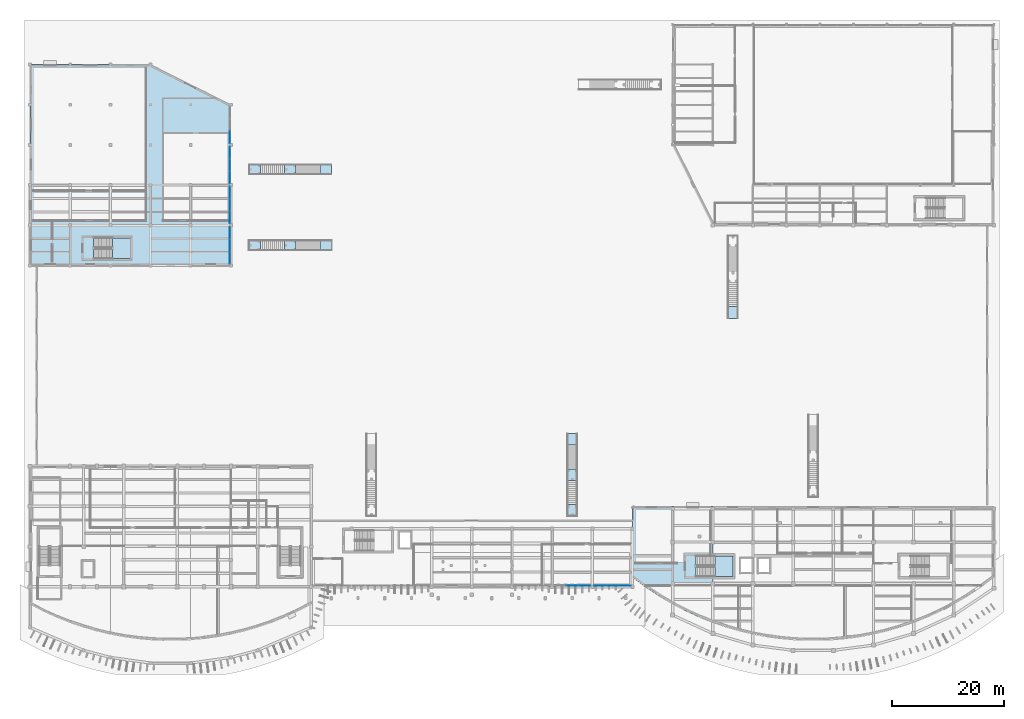
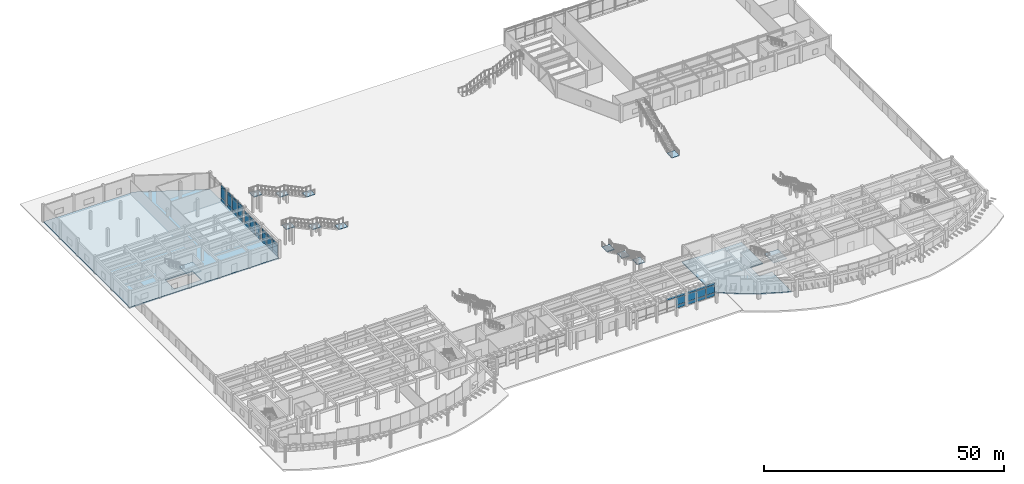
# One storey, part 23 of 58: 43 plates, 14 slabs, 12 elements without a shape of their own.
"""IFC4 building model written with IfcOpenShell, lengths in metres."""

import ifcopenshell
import ifcopenshell.guid

model = None  # the IFC model being written
_history = None  # IfcOwnerHistory: only IFC2X3 demands one
_inside = {}  # id of a spatial element -> (the spatial element, [elements in it])
_under = {}  # id of a project, library or spatial element -> (it, [spatial elements below it])
_declared = {}  # id of a project -> (the project, [libraries it declares])
_typed = {}  # id of a type object -> (the type object, [elements of that type])
_made_of = {}  # id of a material, layer set ... -> (it, [elements and type objects made of it])


def new_model(schema):
    """Start an empty IFC model of exactly this schema.

    Asked for "IFC4X3", IfcOpenShell would pick the latest addendum, in which some entities
    have other attributes; the version numbers below select the first issue.
    IFC2X3 requires an IfcOwnerHistory on every rooted entity: one is made here for all.
    """
    global model, _history
    if schema == "IFC4X3":
        model = ifcopenshell.file(schema_version=(4, 3, 0, 0))
    else:
        model = ifcopenshell.file(schema=schema)
    _inside.clear()
    _under.clear()
    _declared.clear()
    _typed.clear()
    _made_of.clear()
    _history = None
    if model.schema == "IFC2X3":
        org = make("IfcOrganization", Name="unknown")
        user = make(
            "IfcPersonAndOrganization",
            ThePerson=make("IfcPerson", FamilyName="unknown"),
            TheOrganization=org,
        )
        app = make(
            "IfcApplication",
            ApplicationDeveloper=org,
            Version="unknown",
            ApplicationFullName="unknown",
            ApplicationIdentifier="unknown",
        )
        _history = make(
            "IfcOwnerHistory",
            OwningUser=user,
            OwningApplication=app,
            ChangeAction="ADDED",
            CreationDate=0,
        )
    return model


def make(cls, **values):
    """One entity of the class cls with the attributes given. An attribute that is None is left unset."""
    return model.create_entity(
        cls, **{name: value for name, value in values.items() if value is not None}
    )


def rooted(cls, **values):
    """An entity with a GlobalId (a new one), such as an element, a storey or a relation."""
    return make(cls, GlobalId=ifcopenshell.guid.new(), OwnerHistory=_history, **values)


def si_unit(unit_type, name, prefix=None):
    """IfcSIUnit, for example si_unit("LENGTHUNIT", "METRE", prefix="MILLI")."""
    return make("IfcSIUnit", UnitType=unit_type, Prefix=prefix, Name=name)


def assignment(units):
    """IfcUnitAssignment: the units of a project."""
    return None if units is None else make("IfcUnitAssignment", Units=units)


def point(xyz):
    """IfcCartesianPoint."""
    return None if xyz is None else make("IfcCartesianPoint", Coordinates=xyz)


def direction(xyz):
    """IfcDirection."""
    return None if xyz is None else make("IfcDirection", DirectionRatios=xyz)


def frame(location, z_axis=None, x_axis=None):
    """IfcAxis2Placement3D, a coordinate frame: its origin and axes. An axis left out is left unset."""
    return make(
        "IfcAxis2Placement3D",
        Location=point(location),
        Axis=direction(z_axis),
        RefDirection=direction(x_axis),
    )


def frame_2d(location, x_axis=None):
    """IfcAxis2Placement2D, a coordinate frame in the plane: its origin and x axis."""
    return make(
        "IfcAxis2Placement2D", Location=point(location), RefDirection=direction(x_axis)
    )


def origin():
    """The frame at (0, 0, 0) with its axes left unset."""
    return frame((0.0, 0.0, 0.0))


def origin_2d():
    """The frame at (0, 0) in the plane with its x axis left unset."""
    return frame_2d((0.0, 0.0))


def place(relative_to, where):
    """IfcLocalPlacement: puts the frame where relative to a parent placement (None: the world)."""
    return make(
        "IfcLocalPlacement", PlacementRelTo=relative_to, RelativePlacement=where
    )


def context(
    kind, dimensions, precision=None, world=None, true_north=None, identifier=None
):
    """IfcGeometricRepresentationContext, for example the 3D "Model" context."""
    return make(
        "IfcGeometricRepresentationContext",
        ContextIdentifier=identifier,
        ContextType=kind,
        CoordinateSpaceDimension=dimensions,
        Precision=precision,
        WorldCoordinateSystem=world,
        TrueNorth=true_north,
    )


def subcontext(parent, identifier, kind, view, scale=None):
    """IfcGeometricRepresentationSubContext, for example "Body" below "Model"."""
    return make(
        "IfcGeometricRepresentationSubContext",
        ContextIdentifier=identifier,
        ContextType=kind,
        ParentContext=parent,
        TargetScale=scale,
        TargetView=view,
    )


def project(units=None, contexts=None):
    """IfcProject with its units and contexts."""
    return rooted(
        "IfcProject",
        Name="project",
        RepresentationContexts=contexts,
        UnitsInContext=assignment(units),
    )


def spatial(cls, under=None, at=None, **own):
    """A site, building, storey or space (cls), placed at a placement, below another one or the project."""
    s = rooted(cls, ObjectPlacement=at, **own)
    if under is not None:
        _under.setdefault(under.id(), (under, []))[1].append(s)
    return s


def polyline(points):
    """IfcPolyline through the points."""
    return make("IfcPolyline", Points=[point(p) for p in points])


def profile(cls, at=None, kind="AREA", **sizes):
    """A parametric profile (cls). Its sizes go by their IFC names, for example OverallWidth=200.0."""
    return make(cls, ProfileType=kind, Position=at, **sizes)


def rectangle(**sizes):
    """IfcRectangleProfileDef."""
    return profile("IfcRectangleProfileDef", **sizes)


def outline(outer, holes=None, kind="AREA"):
    """IfcArbitraryClosedProfileDef: a profile drawn as a closed curve; with holes, ...WithVoids."""
    if holes is None:
        return make("IfcArbitraryClosedProfileDef", ProfileType=kind, OuterCurve=outer)
    return make(
        "IfcArbitraryProfileDefWithVoids",
        ProfileType=kind,
        OuterCurve=outer,
        InnerCurves=holes,
    )


def extrude(swept, where, along, depth):
    """IfcExtrudedAreaSolid: the profile swept, set in the frame where, extruded along a direction by depth."""
    return make(
        "IfcExtrudedAreaSolid",
        SweptArea=swept,
        Position=where,
        ExtrudedDirection=direction(along),
        Depth=depth,
    )


def shape(context_of_items, identifier, shape_type, items):
    """IfcShapeRepresentation: the items that make up one representation, for example the "Body"."""
    return make(
        "IfcShapeRepresentation",
        ContextOfItems=context_of_items,
        RepresentationIdentifier=identifier,
        RepresentationType=shape_type,
        Items=items,
    )


def material(Name=None, Category=None):
    """IfcMaterial."""
    return make("IfcMaterial", Name=Name, Category=Category)


def layer(
    of_material, thickness, ventilated=None, Name=None, Category=None, Priority=None
):
    """IfcMaterialLayer: one layer of a wall or slab, of a material (None: an air gap)."""
    return make(
        "IfcMaterialLayer",
        Material=of_material,
        LayerThickness=thickness,
        IsVentilated=ventilated,
        Name=Name,
        Category=Category,
        Priority=Priority,
    )


def layer_set(layers, Name=None):
    """IfcMaterialLayerSet."""
    return make("IfcMaterialLayerSet", MaterialLayers=layers, LayerSetName=Name)


def made_of(thing, what):
    """Note that an element or type object is made of a material, layer set ...; save() writes the relation."""
    if what is not None:
        _made_of.setdefault(what.id(), (what, []))[1].append(thing)
    return thing


def type_object(cls, material=None, **own):
    """A type object (cls), such as IfcWallType, which elements share."""
    return made_of(rooted(cls, **own), material)


def element(
    cls,
    number,
    at=None,
    inside=None,
    cuts=None,
    type_object=None,
    material=None,
    context=None,
    identifier="Body",
    shape_type=None,
    held_by="IfcProductDefinitionShape",
    body=None,
    shapes=None,
    **own,
):
    """One element of the class cls, such as IfcWall. Its Tag is "e" and its number.

    at: its placement. inside: the storey or other place that contains it. cuts: it is an
    opening in that element (IfcRelVoidsElement). A single representation is given by context,
    identifier, shape_type and body (its items); several are given by shapes. held_by: the class
    of the entity that holds the representations. save() writes the other relations.
    """
    e = rooted(cls, Tag="e%d" % number, ObjectPlacement=at, **own)
    if body is not None:
        shapes = [shape(context, identifier, shape_type, body)]
    if shapes is not None:
        e.Representation = make(held_by, Representations=shapes)
    if inside is not None:
        _inside.setdefault(inside.id(), (inside, []))[1].append(e)
    if cuts is not None:
        rooted(
            "IfcRelVoidsElement", RelatingBuildingElement=cuts, RelatedOpeningElement=e
        )
    if type_object is not None:
        _typed.setdefault(type_object.id(), (type_object, []))[1].append(e)
    return made_of(e, material)


def aggregate(whole, parts):
    """IfcRelAggregates: a whole, such as a stair, and the parts it consists of."""
    return rooted("IfcRelAggregates", RelatingObject=whole, RelatedObjects=parts)


def save(model, path):
    """Write the relations noted so far, then the file.

    IfcRelAggregates (storeys below a building ...), IfcRelContainedInSpatialStructure (elements
    in a storey), IfcRelDefinesByType, IfcRelAssociatesMaterial and IfcRelDeclares: one each for
    every whole, place, type object, material and project.
    """
    for whole, parts in _under.values():
        aggregate(whole, parts)
    for where, things in _inside.values():
        rooted(
            "IfcRelContainedInSpatialStructure",
            RelatedElements=things,
            RelatingStructure=where,
        )
    for kind, things in _typed.values():
        rooted("IfcRelDefinesByType", RelatedObjects=things, RelatingType=kind)
    for what, things in _made_of.values():
        rooted("IfcRelAssociatesMaterial", RelatedObjects=things, RelatingMaterial=what)
    for by, libraries in _declared.values():
        rooted("IfcRelDeclares", RelatingContext=by, RelatedDefinitions=libraries)
    model.write(path)


model = new_model("IFC4")

# Units and contexts
model_context = context("Model", 3, precision=1e-05, world=origin(), true_north=direction((0.0, 1.0)))
body_context = subcontext(model_context, "Body", "Model", "MODEL_VIEW")
ifc_project = project(units=[si_unit("LENGTHUNIT", "METRE"), si_unit("AREAUNIT", "SQUARE_METRE"), si_unit("VOLUMEUNIT", "CUBIC_METRE"), si_unit("PLANEANGLEUNIT", "RADIAN"), si_unit("MASSUNIT", "GRAM", prefix="KILO")], contexts=[model_context])

# Site, building, storey
site_placement = place(None, origin())
site = spatial("IfcSite", under=ifc_project, at=site_placement, CompositionType="ELEMENT")
building_placement = place(site_placement, origin())
building = spatial("IfcBuilding", under=site, at=building_placement, Name="Brisavento Harbour Community Centre", CompositionType="ELEMENT")
storey_placement = place(building_placement, origin())
storey = spatial("IfcBuildingStorey", under=building, at=storey_placement, Name="L00", CompositionType="ELEMENT", Elevation=0.0)

# Curtain wall, plates
ifc_material_1 = material(Name="Marine-anodised aluminium AW-6063-T6", Category="aluminium")
ifc_layer_1 = layer(ifc_material_1, 0.179931640625, Name="Marine-anodised aluminium AW-6063-T6")
ifc_layer_set_1 = layer_set([ifc_layer_1], Name="Marine-anodised aluminium AW-6063-T6")
curtain_wall_type_1 = type_object("IfcCurtainWallType", Name="CW-SYS-01", PredefinedType="USERDEFINED", material=ifc_layer_set_1)
curtain_wall_1_placement = place(storey_placement, origin())
curtain_wall_1 = element("IfcCurtainWall", 1, at=curtain_wall_1_placement, inside=storey, type_object=curtain_wall_type_1, Name="L00 V2 unitised curtain wall 001", ObjectType="UNITISED CURTAIN WALL", PredefinedType="USERDEFINED")
ifc_material_2 = material(Name="Solar-control laminated low-E glass", Category="glass")
ifc_layer_2 = layer(ifc_material_2, 0.02392578125, Name="Solar-control laminated low-E glass")
ifc_layer_set_2 = layer_set([ifc_layer_2], Name="Solar-control laminated low-E glass")
plate_type_1 = type_object("IfcPlateType", Name="CWP-GLZ-1", PredefinedType="CURTAIN_PANEL", material=ifc_layer_set_2)
plate_1_placement = place(storey_placement, frame((106.6103515625, 14.580078125, 0.06494140625), z_axis=(0.0, 0.0, 1.0), x_axis=(-1.0, 0.0, 0.0)))
plate_1 = element("IfcPlate", 2, at=plate_1_placement, type_object=plate_type_1, Name="CW-01 panel 1.1", PredefinedType="CURTAIN_PANEL", context=body_context, shape_type="SweptSolid", body=[
    extrude(rectangle(XDim=2.129150390625, YDim=0.02392578125, at=origin_2d()), origin(), (0.0, 0.0, 1.0), 0.802490234375),
])
plate_2_placement = place(storey_placement, frame((106.6103515625, 14.580078125, 0.9326171875), z_axis=(0.0, 0.0, 1.0), x_axis=(-1.0, 0.0, 0.0)))
plate_2 = element("IfcPlate", 3, at=plate_2_placement, type_object=plate_type_1, Name="CW-01 panel 1.2", PredefinedType="CURTAIN_PANEL", context=body_context, shape_type="SweptSolid", body=[
    extrude(rectangle(XDim=2.129150390625, YDim=0.02392578125, at=origin_2d()), origin(), (0.0, 0.0, 1.0), 1.925048828125),
])
plate_3_placement = place(storey_placement, frame((106.6103515625, 14.580078125, 2.92236328125), z_axis=(0.0, 0.0, 1.0), x_axis=(-1.0, 0.0, 0.0)))
plate_3 = element("IfcPlate", 4, at=plate_3_placement, type_object=plate_type_1, Name="CW-01 panel 1.3", PredefinedType="CURTAIN_PANEL", context=body_context, shape_type="SweptSolid", body=[
    extrude(rectangle(XDim=2.129150390625, YDim=0.02392578125, at=origin_2d()), origin(), (0.0, 0.0, 1.0), 0.552490234375),
])
plate_4_placement = place(storey_placement, frame((104.39990234375, 14.580078125, 0.06494140625), z_axis=(0.0, 0.0, 1.0), x_axis=(-1.0, 0.0, 0.0)))
plate_4 = element("IfcPlate", 5, at=plate_4_placement, type_object=plate_type_1, Name="CW-01 panel 2.1", PredefinedType="CURTAIN_PANEL", context=body_context, shape_type="SweptSolid", body=[
    extrude(rectangle(XDim=2.16162109375, YDim=0.02392578125, at=origin_2d()), origin(), (0.0, 0.0, 1.0), 0.802490234375),
])
plate_5_placement = place(storey_placement, frame((104.39990234375, 14.580078125, 0.9326171875), z_axis=(0.0, 0.0, 1.0), x_axis=(-1.0, 0.0, 0.0)))
plate_5 = element("IfcPlate", 6, at=plate_5_placement, type_object=plate_type_1, Name="CW-01 panel 2.2", PredefinedType="CURTAIN_PANEL", context=body_context, shape_type="SweptSolid", body=[
    extrude(rectangle(XDim=2.16162109375, YDim=0.02392578125, at=origin_2d()), origin(), (0.0, 0.0, 1.0), 1.925048828125),
])
plate_6_placement = place(storey_placement, frame((104.39990234375, 14.580078125, 2.92236328125), z_axis=(0.0, 0.0, 1.0), x_axis=(-1.0, 0.0, 0.0)))
plate_6 = element("IfcPlate", 7, at=plate_6_placement, type_object=plate_type_1, Name="CW-01 panel 2.3", PredefinedType="CURTAIN_PANEL", context=body_context, shape_type="SweptSolid", body=[
    extrude(rectangle(XDim=2.16162109375, YDim=0.02392578125, at=origin_2d()), origin(), (0.0, 0.0, 1.0), 0.552490234375),
])
plate_7_placement = place(storey_placement, frame((102.189697265625, 14.580078125, 0.06494140625), z_axis=(0.0, 0.0, 1.0), x_axis=(-1.0, 0.0, 0.0)))
plate_7 = element("IfcPlate", 8, at=plate_7_placement, type_object=plate_type_1, Name="CW-01 panel 3.1", PredefinedType="CURTAIN_PANEL", context=body_context, shape_type="SweptSolid", body=[
    extrude(rectangle(XDim=2.129150390625, YDim=0.02392578125, at=origin_2d()), origin(), (0.0, 0.0, 1.0), 0.802490234375),
])
plate_8_placement = place(storey_placement, frame((102.189697265625, 14.580078125, 0.9326171875), z_axis=(0.0, 0.0, 1.0), x_axis=(-1.0, 0.0, 0.0)))
plate_8 = element("IfcPlate", 9, at=plate_8_placement, type_object=plate_type_1, Name="CW-01 panel 3.2", PredefinedType="CURTAIN_PANEL", context=body_context, shape_type="SweptSolid", body=[
    extrude(rectangle(XDim=2.129150390625, YDim=0.02392578125, at=origin_2d()), origin(), (0.0, 0.0, 1.0), 1.925048828125),
])
plate_9_placement = place(storey_placement, frame((102.189697265625, 14.580078125, 2.92236328125), z_axis=(0.0, 0.0, 1.0), x_axis=(-1.0, 0.0, 0.0)))
plate_9 = element("IfcPlate", 10, at=plate_9_placement, type_object=plate_type_1, Name="CW-01 panel 3.3", PredefinedType="CURTAIN_PANEL", context=body_context, shape_type="SweptSolid", body=[
    extrude(rectangle(XDim=2.129150390625, YDim=0.02392578125, at=origin_2d()), origin(), (0.0, 0.0, 1.0), 0.552490234375),
])
aggregate(curtain_wall_1, [plate_1, plate_2, plate_3, plate_4, plate_5, plate_6, plate_7, plate_8, plate_9])

ifc_layer_3 = layer(ifc_material_1, 0.179931640625, Name="Marine-anodised aluminium AW-6063-T6")
ifc_layer_set_3 = layer_set([ifc_layer_3], Name="Marine-anodised aluminium AW-6063-T6")
curtain_wall_type_2 = type_object("IfcCurtainWallType", Name="CW-SYS-16", PredefinedType="USERDEFINED", material=ifc_layer_set_3)
curtain_wall_2_placement = place(storey_placement, origin())
curtain_wall_2 = element("IfcCurtainWall", 11, at=curtain_wall_2_placement, inside=storey, type_object=curtain_wall_type_2, Name="L00 V5 unitised curtain wall 016", ObjectType="UNITISED CURTAIN WALL", PredefinedType="USERDEFINED")
plate_10_placement = place(storey_placement, frame((35.820068359375, 94.9765625, 0.080078125), z_axis=(0.0, 0.0, 1.0), x_axis=(0.0, -1.0, 0.0)))
plate_10 = element("IfcPlate", 12, at=plate_10_placement, type_object=plate_type_1, Name="CW-16 panel 3.1", PredefinedType="CURTAIN_PANEL", context=body_context, shape_type="SweptSolid", body=[
    extrude(rectangle(XDim=2.123291015625, YDim=0.02392578125, at=origin_2d()), origin(), (0.0, 0.0, 1.0), 0.780029296875),
])
plate_11_placement = place(storey_placement, frame((35.820068359375, 94.9765625, 0.93994140625), z_axis=(0.0, 0.0, 1.0), x_axis=(0.0, -1.0, 0.0)))
plate_11 = element("IfcPlate", 13, at=plate_11_placement, type_object=plate_type_1, Name="CW-16 panel 3.2", PredefinedType="CURTAIN_PANEL", context=body_context, shape_type="SweptSolid", body=[
    extrude(rectangle(XDim=2.123291015625, YDim=0.02392578125, at=origin_2d()), origin(), (0.0, 0.0, 1.0), 2.610107421875),
])
plate_12_placement = place(storey_placement, frame((35.820068359375, 94.9765625, 3.6298828125), z_axis=(0.0, 0.0, 1.0), x_axis=(0.0, -1.0, 0.0)))
plate_12 = element("IfcPlate", 14, at=plate_12_placement, type_object=plate_type_1, Name="CW-16 panel 3.3", PredefinedType="CURTAIN_PANEL", context=body_context, shape_type="SweptSolid", body=[
    extrude(rectangle(XDim=2.123291015625, YDim=0.02392578125, at=origin_2d()), origin(), (0.0, 0.0, 1.0), 0.530029296875),
])
aggregate(curtain_wall_2, [plate_10, plate_11, plate_12])

ifc_layer_4 = layer(ifc_material_1, 0.179931640625, Name="Marine-anodised aluminium AW-6063-T6")
ifc_layer_set_4 = layer_set([ifc_layer_4], Name="Marine-anodised aluminium AW-6063-T6")
curtain_wall_type_3 = type_object("IfcCurtainWallType", Name="CW-SYS-02", PredefinedType="USERDEFINED", material=ifc_layer_set_4)
curtain_wall_3_placement = place(storey_placement, origin())
curtain_wall_3 = element("IfcCurtainWall", 15, at=curtain_wall_3_placement, inside=storey, type_object=curtain_wall_type_3, Name="L00 V2 unitised curtain wall 002", ObjectType="UNITISED CURTAIN WALL", PredefinedType="USERDEFINED")
ifc_layer_5 = layer(ifc_material_2, 0.028076171875, Name="Solar-control laminated low-E glass")
ifc_layer_set_5 = layer_set([ifc_layer_5], Name="Solar-control laminated low-E glass")
plate_type_2 = type_object("IfcPlateType", Name="CWP-GLZ-2", PredefinedType="CURTAIN_PANEL", material=ifc_layer_set_5)
plate_13_placement = place(storey_placement, frame((99.4091796875, 14.580078125, 0.070068359375), z_axis=(0.0, 0.0, 1.0), x_axis=(-1.0, 0.0, 0.0)))
plate_13 = element("IfcPlate", 16, at=plate_13_placement, type_object=plate_type_2, Name="CW-02 panel 1.1", PredefinedType="CURTAIN_PANEL", context=body_context, shape_type="SweptSolid", body=[
    extrude(rectangle(XDim=2.12158203125, YDim=0.028076171875, at=origin_2d()), origin(), (0.0, 0.0, 1.0), 0.794921875),
])
plate_14_placement = place(storey_placement, frame((99.4091796875, 14.580078125, 0.93505859375), z_axis=(0.0, 0.0, 1.0), x_axis=(-1.0, 0.0, 0.0)))
plate_14 = element("IfcPlate", 17, at=plate_14_placement, type_object=plate_type_2, Name="CW-02 panel 1.2", PredefinedType="CURTAIN_PANEL", context=body_context, shape_type="SweptSolid", body=[
    extrude(rectangle(XDim=2.12158203125, YDim=0.028076171875, at=origin_2d()), origin(), (0.0, 0.0, 1.0), 1.8701171875),
])
plate_15_placement = place(storey_placement, frame((99.4091796875, 14.580078125, 2.875), z_axis=(0.0, 0.0, 1.0), x_axis=(-1.0, 0.0, 0.0)))
plate_15 = element("IfcPlate", 18, at=plate_15_placement, type_object=plate_type_2, Name="CW-02 panel 1.3", PredefinedType="CURTAIN_PANEL", context=body_context, shape_type="SweptSolid", body=[
    extrude(rectangle(XDim=2.12158203125, YDim=0.028076171875, at=origin_2d()), origin(), (0.0, 0.0, 1.0), 0.544921875),
])
plate_16_placement = place(storey_placement, frame((97.199951171875, 14.580078125, 2.875), z_axis=(0.0, 0.0, 1.0), x_axis=(-1.0, 0.0, 0.0)))
plate_16 = element("IfcPlate", 19, at=plate_16_placement, type_object=plate_type_2, Name="CW-02 panel 2.3", PredefinedType="CURTAIN_PANEL", context=body_context, shape_type="SweptSolid", body=[
    extrude(rectangle(XDim=2.15673828125, YDim=0.028076171875, at=origin_2d()), origin(), (0.0, 0.0, 1.0), 0.544921875),
])
aggregate(curtain_wall_3, [plate_13, plate_14, plate_15, plate_16])

ifc_layer_6 = layer(ifc_material_1, 0.179931640625, Name="Marine-anodised aluminium AW-6063-T6")
ifc_layer_set_6 = layer_set([ifc_layer_6], Name="Marine-anodised aluminium AW-6063-T6")
curtain_wall_type_4 = type_object("IfcCurtainWallType", Name="CW-SYS-17", PredefinedType="USERDEFINED", material=ifc_layer_set_6)
curtain_wall_4_placement = place(storey_placement, origin())
curtain_wall_4 = element("IfcCurtainWall", 20, at=curtain_wall_4_placement, inside=storey, type_object=curtain_wall_type_4, Name="L00 V5 unitised curtain wall 017", ObjectType="UNITISED CURTAIN WALL", PredefinedType="USERDEFINED")
plate_17_placement = place(storey_placement, frame((35.820068359375, 92.231201171875, 0.06494140625), z_axis=(0.0, 0.0, 1.0), x_axis=(0.0, -1.0, 0.0)))
plate_17 = element("IfcPlate", 21, at=plate_17_placement, type_object=plate_type_2, Name="CW-17 panel 1.1", PredefinedType="CURTAIN_PANEL", context=body_context, shape_type="SweptSolid", body=[
    extrude(rectangle(XDim=2.137451171875, YDim=0.028076171875, at=origin_2d()), origin(), (0.0, 0.0, 1.0), 0.802490234375),
])
plate_18_placement = place(storey_placement, frame((35.820068359375, 92.231201171875, 0.9326171875), z_axis=(0.0, 0.0, 1.0), x_axis=(0.0, -1.0, 0.0)))
plate_18 = element("IfcPlate", 22, at=plate_18_placement, type_object=plate_type_2, Name="CW-17 panel 1.2", PredefinedType="CURTAIN_PANEL", context=body_context, shape_type="SweptSolid", body=[
    extrude(rectangle(XDim=2.137451171875, YDim=0.028076171875, at=origin_2d()), origin(), (0.0, 0.0, 1.0), 2.625),
])
plate_19_placement = place(storey_placement, frame((35.820068359375, 92.231201171875, 3.62255859375), z_axis=(0.0, 0.0, 1.0), x_axis=(0.0, -1.0, 0.0)))
plate_19 = element("IfcPlate", 23, at=plate_19_placement, type_object=plate_type_2, Name="CW-17 panel 1.3", PredefinedType="CURTAIN_PANEL", context=body_context, shape_type="SweptSolid", body=[
    extrude(rectangle(XDim=2.137451171875, YDim=0.028076171875, at=origin_2d()), origin(), (0.0, 0.0, 1.0), 0.552490234375),
])
plate_20_placement = place(storey_placement, frame((35.820068359375, 90.012451171875, 0.06494140625), z_axis=(0.0, 0.0, 1.0), x_axis=(0.0, -1.0, 0.0)))
plate_20 = element("IfcPlate", 24, at=plate_20_placement, type_object=plate_type_2, Name="CW-17 panel 2.1", PredefinedType="CURTAIN_PANEL", context=body_context, shape_type="SweptSolid", body=[
    extrude(rectangle(XDim=2.169921875, YDim=0.028076171875, at=origin_2d()), origin(), (0.0, 0.0, 1.0), 0.802490234375),
])
plate_21_placement = place(storey_placement, frame((35.820068359375, 90.012451171875, 0.9326171875), z_axis=(0.0, 0.0, 1.0), x_axis=(0.0, -1.0, 0.0)))
plate_21 = element("IfcPlate", 25, at=plate_21_placement, type_object=plate_type_2, Name="CW-17 panel 2.2", PredefinedType="CURTAIN_PANEL", context=body_context, shape_type="SweptSolid", body=[
    extrude(rectangle(XDim=2.169921875, YDim=0.028076171875, at=origin_2d()), origin(), (0.0, 0.0, 1.0), 2.625),
])
plate_22_placement = place(storey_placement, frame((35.820068359375, 90.012451171875, 3.62255859375), z_axis=(0.0, 0.0, 1.0), x_axis=(0.0, -1.0, 0.0)))
plate_22 = element("IfcPlate", 26, at=plate_22_placement, type_object=plate_type_2, Name="CW-17 panel 2.3", PredefinedType="CURTAIN_PANEL", context=body_context, shape_type="SweptSolid", body=[
    extrude(rectangle(XDim=2.169921875, YDim=0.028076171875, at=origin_2d()), origin(), (0.0, 0.0, 1.0), 0.552490234375),
])
plate_23_placement = place(storey_placement, frame((35.820068359375, 87.793701171875, 0.06494140625), z_axis=(0.0, 0.0, 1.0), x_axis=(0.0, -1.0, 0.0)))
plate_23 = element("IfcPlate", 27, at=plate_23_placement, type_object=plate_type_2, Name="CW-17 panel 3.1", PredefinedType="CURTAIN_PANEL", context=body_context, shape_type="SweptSolid", body=[
    extrude(rectangle(XDim=2.137451171875, YDim=0.028076171875, at=origin_2d()), origin(), (0.0, 0.0, 1.0), 0.802490234375),
])
plate_24_placement = place(storey_placement, frame((35.820068359375, 87.793701171875, 0.9326171875), z_axis=(0.0, 0.0, 1.0), x_axis=(0.0, -1.0, 0.0)))
plate_24 = element("IfcPlate", 28, at=plate_24_placement, type_object=plate_type_2, Name="CW-17 panel 3.2", PredefinedType="CURTAIN_PANEL", context=body_context, shape_type="SweptSolid", body=[
    extrude(rectangle(XDim=2.137451171875, YDim=0.028076171875, at=origin_2d()), origin(), (0.0, 0.0, 1.0), 2.625),
])
plate_25_placement = place(storey_placement, frame((35.820068359375, 87.793701171875, 3.62255859375), z_axis=(0.0, 0.0, 1.0), x_axis=(0.0, -1.0, 0.0)))
plate_25 = element("IfcPlate", 29, at=plate_25_placement, type_object=plate_type_2, Name="CW-17 panel 3.3", PredefinedType="CURTAIN_PANEL", context=body_context, shape_type="SweptSolid", body=[
    extrude(rectangle(XDim=2.137451171875, YDim=0.028076171875, at=origin_2d()), origin(), (0.0, 0.0, 1.0), 0.552490234375),
])
aggregate(curtain_wall_4, [plate_17, plate_18, plate_19, plate_20, plate_21, plate_22, plate_23, plate_24, plate_25])

ifc_layer_7 = layer(ifc_material_1, 0.179931640625, Name="Marine-anodised aluminium AW-6063-T6")
ifc_layer_set_7 = layer_set([ifc_layer_7], Name="Marine-anodised aluminium AW-6063-T6")
curtain_wall_type_5 = type_object("IfcCurtainWallType", Name="CW-SYS-18", PredefinedType="USERDEFINED", material=ifc_layer_set_7)
curtain_wall_5_placement = place(storey_placement, origin())
curtain_wall_5 = element("IfcCurtainWall", 30, at=curtain_wall_5_placement, inside=storey, type_object=curtain_wall_type_5, Name="L00 V5 unitised curtain wall 018", ObjectType="UNITISED CURTAIN WALL", PredefinedType="USERDEFINED")
ifc_layer_8 = layer(ifc_material_2, 0.031982421875, Name="Solar-control laminated low-E glass")
ifc_layer_set_8 = layer_set([ifc_layer_8], Name="Solar-control laminated low-E glass")
plate_type_3 = type_object("IfcPlateType", Name="CWP-GLZ-3", PredefinedType="CURTAIN_PANEL", material=ifc_layer_set_8)
plate_26_placement = place(storey_placement, frame((35.820068359375, 85.00927734375, 0.070068359375), z_axis=(0.0, 0.0, 1.0), x_axis=(0.0, -1.0, 0.0)))
plate_26 = element("IfcPlate", 31, at=plate_26_placement, type_object=plate_type_3, Name="CW-18 panel 1.1", PredefinedType="CURTAIN_PANEL", context=body_context, shape_type="SweptSolid", body=[
    extrude(rectangle(XDim=2.12158203125, YDim=0.031982421875, at=origin_2d()), origin(), (0.0, 0.0, 1.0), 0.794921875),
])
plate_27_placement = place(storey_placement, frame((35.820068359375, 85.00927734375, 0.93505859375), z_axis=(0.0, 0.0, 1.0), x_axis=(0.0, -1.0, 0.0)))
plate_27 = element("IfcPlate", 32, at=plate_27_placement, type_object=plate_type_3, Name="CW-18 panel 1.2", PredefinedType="CURTAIN_PANEL", context=body_context, shape_type="SweptSolid", body=[
    extrude(rectangle(XDim=2.12158203125, YDim=0.031982421875, at=origin_2d()), origin(), (0.0, 0.0, 1.0), 1.969970703125),
])
plate_28_placement = place(storey_placement, frame((35.820068359375, 85.00927734375, 2.97509765625), z_axis=(0.0, 0.0, 1.0), x_axis=(0.0, -1.0, 0.0)))
plate_28 = element("IfcPlate", 33, at=plate_28_placement, type_object=plate_type_3, Name="CW-18 panel 1.3", PredefinedType="CURTAIN_PANEL", context=body_context, shape_type="SweptSolid", body=[
    extrude(rectangle(XDim=2.12158203125, YDim=0.031982421875, at=origin_2d()), origin(), (0.0, 0.0, 1.0), 0.544921875),
])
plate_29_placement = place(storey_placement, frame((35.820068359375, 82.800048828125, 0.070068359375), z_axis=(0.0, 0.0, 1.0), x_axis=(0.0, -1.0, 0.0)))
plate_29 = element("IfcPlate", 34, at=plate_29_placement, type_object=plate_type_3, Name="CW-18 panel 2.1", PredefinedType="CURTAIN_PANEL", context=body_context, shape_type="SweptSolid", body=[
    extrude(rectangle(XDim=2.15673828125, YDim=0.031982421875, at=origin_2d()), origin(), (0.0, 0.0, 1.0), 0.794921875),
])
plate_30_placement = place(storey_placement, frame((35.820068359375, 82.800048828125, 0.93505859375), z_axis=(0.0, 0.0, 1.0), x_axis=(0.0, -1.0, 0.0)))
plate_30 = element("IfcPlate", 35, at=plate_30_placement, type_object=plate_type_3, Name="CW-18 panel 2.2", PredefinedType="CURTAIN_PANEL", context=body_context, shape_type="SweptSolid", body=[
    extrude(rectangle(XDim=2.15673828125, YDim=0.031982421875, at=origin_2d()), origin(), (0.0, 0.0, 1.0), 1.969970703125),
])
plate_31_placement = place(storey_placement, frame((35.820068359375, 82.800048828125, 2.97509765625), z_axis=(0.0, 0.0, 1.0), x_axis=(0.0, -1.0, 0.0)))
plate_31 = element("IfcPlate", 36, at=plate_31_placement, type_object=plate_type_3, Name="CW-18 panel 2.3", PredefinedType="CURTAIN_PANEL", context=body_context, shape_type="SweptSolid", body=[
    extrude(rectangle(XDim=2.15673828125, YDim=0.031982421875, at=origin_2d()), origin(), (0.0, 0.0, 1.0), 0.544921875),
])
plate_32_placement = place(storey_placement, frame((35.820068359375, 80.5908203125, 0.070068359375), z_axis=(0.0, 0.0, 1.0), x_axis=(0.0, -1.0, 0.0)))
plate_32 = element("IfcPlate", 37, at=plate_32_placement, type_object=plate_type_3, Name="CW-18 panel 3.1", PredefinedType="CURTAIN_PANEL", context=body_context, shape_type="SweptSolid", body=[
    extrude(rectangle(XDim=2.12158203125, YDim=0.031982421875, at=origin_2d()), origin(), (0.0, 0.0, 1.0), 0.794921875),
])
plate_33_placement = place(storey_placement, frame((35.820068359375, 80.5908203125, 0.93505859375), z_axis=(0.0, 0.0, 1.0), x_axis=(0.0, -1.0, 0.0)))
plate_33 = element("IfcPlate", 38, at=plate_33_placement, type_object=plate_type_3, Name="CW-18 panel 3.2", PredefinedType="CURTAIN_PANEL", context=body_context, shape_type="SweptSolid", body=[
    extrude(rectangle(XDim=2.12158203125, YDim=0.031982421875, at=origin_2d()), origin(), (0.0, 0.0, 1.0), 1.969970703125),
])
plate_34_placement = place(storey_placement, frame((35.820068359375, 80.5908203125, 2.97509765625), z_axis=(0.0, 0.0, 1.0), x_axis=(0.0, -1.0, 0.0)))
plate_34 = element("IfcPlate", 39, at=plate_34_placement, type_object=plate_type_3, Name="CW-18 panel 3.3", PredefinedType="CURTAIN_PANEL", context=body_context, shape_type="SweptSolid", body=[
    extrude(rectangle(XDim=2.12158203125, YDim=0.031982421875, at=origin_2d()), origin(), (0.0, 0.0, 1.0), 0.544921875),
])
aggregate(curtain_wall_5, [plate_26, plate_27, plate_28, plate_29, plate_30, plate_31, plate_32, plate_33, plate_34])

ifc_layer_9 = layer(ifc_material_1, 0.179931640625, Name="Marine-anodised aluminium AW-6063-T6")
ifc_layer_set_9 = layer_set([ifc_layer_9], Name="Marine-anodised aluminium AW-6063-T6")
curtain_wall_type_6 = type_object("IfcCurtainWallType", Name="CW-SYS-19", PredefinedType="USERDEFINED", material=ifc_layer_set_9)
curtain_wall_6_placement = place(storey_placement, origin())
curtain_wall_6 = element("IfcCurtainWall", 40, at=curtain_wall_6_placement, inside=storey, type_object=curtain_wall_type_6, Name="L00 V5 unitised curtain wall 019", ObjectType="UNITISED CURTAIN WALL", PredefinedType="USERDEFINED")
ifc_layer_10 = layer(ifc_material_2, 0.035888671875, Name="Solar-control laminated low-E glass")
ifc_layer_set_10 = layer_set([ifc_layer_10], Name="Solar-control laminated low-E glass")
plate_type_4 = type_object("IfcPlateType", Name="CWP-GLZ-4", PredefinedType="CURTAIN_PANEL", material=ifc_layer_set_10)
plate_35_placement = place(storey_placement, frame((35.820068359375, 77.807861328125, 0.074951171875), z_axis=(0.0, 0.0, 1.0), x_axis=(0.0, -1.0, 0.0)))
plate_35 = element("IfcPlate", 41, at=plate_35_placement, type_object=plate_type_4, Name="CW-19 panel 1.1", PredefinedType="CURTAIN_PANEL", context=body_context, shape_type="SweptSolid", body=[
    extrude(rectangle(XDim=2.1142578125, YDim=0.035888671875, at=origin_2d()), origin(), (0.0, 0.0, 1.0), 0.78759765625),
])
plate_36_placement = place(storey_placement, frame((35.820068359375, 77.807861328125, 0.9375), z_axis=(0.0, 0.0, 1.0), x_axis=(0.0, -1.0, 0.0)))
plate_36 = element("IfcPlate", 42, at=plate_36_placement, type_object=plate_type_4, Name="CW-19 panel 1.2", PredefinedType="CURTAIN_PANEL", context=body_context, shape_type="SweptSolid", body=[
    extrude(rectangle(XDim=2.1142578125, YDim=0.035888671875, at=origin_2d()), origin(), (0.0, 0.0, 1.0), 1.9150390625),
])
plate_37_placement = place(storey_placement, frame((35.820068359375, 77.807861328125, 2.927490234375), z_axis=(0.0, 0.0, 1.0), x_axis=(0.0, -1.0, 0.0)))
plate_37 = element("IfcPlate", 43, at=plate_37_placement, type_object=plate_type_4, Name="CW-19 panel 1.3", PredefinedType="CURTAIN_PANEL", context=body_context, shape_type="SweptSolid", body=[
    extrude(rectangle(XDim=2.1142578125, YDim=0.035888671875, at=origin_2d()), origin(), (0.0, 0.0, 1.0), 0.53759765625),
])
plate_38_placement = place(storey_placement, frame((35.820068359375, 75.60009765625, 0.074951171875), z_axis=(0.0, 0.0, 1.0), x_axis=(0.0, -1.0, 0.0)))
plate_38 = element("IfcPlate", 44, at=plate_38_placement, type_object=plate_type_4, Name="CW-19 panel 2.1", PredefinedType="CURTAIN_PANEL", context=body_context, shape_type="SweptSolid", body=[
    extrude(rectangle(XDim=2.151611328125, YDim=0.035888671875, at=origin_2d()), origin(), (0.0, 0.0, 1.0), 0.78759765625),
])
plate_39_placement = place(storey_placement, frame((35.820068359375, 75.60009765625, 0.9375), z_axis=(0.0, 0.0, 1.0), x_axis=(0.0, -1.0, 0.0)))
plate_39 = element("IfcPlate", 45, at=plate_39_placement, type_object=plate_type_4, Name="CW-19 panel 2.2", PredefinedType="CURTAIN_PANEL", context=body_context, shape_type="SweptSolid", body=[
    extrude(rectangle(XDim=2.151611328125, YDim=0.035888671875, at=origin_2d()), origin(), (0.0, 0.0, 1.0), 1.9150390625),
])
plate_40_placement = place(storey_placement, frame((35.820068359375, 75.60009765625, 2.927490234375), z_axis=(0.0, 0.0, 1.0), x_axis=(0.0, -1.0, 0.0)))
plate_40 = element("IfcPlate", 46, at=plate_40_placement, type_object=plate_type_4, Name="CW-19 panel 2.3", PredefinedType="CURTAIN_PANEL", context=body_context, shape_type="SweptSolid", body=[
    extrude(rectangle(XDim=2.151611328125, YDim=0.035888671875, at=origin_2d()), origin(), (0.0, 0.0, 1.0), 0.53759765625),
])
plate_41_placement = place(storey_placement, frame((35.820068359375, 73.39208984375, 0.074951171875), z_axis=(0.0, 0.0, 1.0), x_axis=(0.0, -1.0, 0.0)))
plate_41 = element("IfcPlate", 47, at=plate_41_placement, type_object=plate_type_4, Name="CW-19 panel 3.1", PredefinedType="CURTAIN_PANEL", context=body_context, shape_type="SweptSolid", body=[
    extrude(rectangle(XDim=2.1142578125, YDim=0.035888671875, at=origin_2d()), origin(), (0.0, 0.0, 1.0), 0.78759765625),
])
plate_42_placement = place(storey_placement, frame((35.820068359375, 73.39208984375, 0.9375), z_axis=(0.0, 0.0, 1.0), x_axis=(0.0, -1.0, 0.0)))
plate_42 = element("IfcPlate", 48, at=plate_42_placement, type_object=plate_type_4, Name="CW-19 panel 3.2", PredefinedType="CURTAIN_PANEL", context=body_context, shape_type="SweptSolid", body=[
    extrude(rectangle(XDim=2.1142578125, YDim=0.035888671875, at=origin_2d()), origin(), (0.0, 0.0, 1.0), 1.9150390625),
])
plate_43_placement = place(storey_placement, frame((35.820068359375, 73.39208984375, 2.927490234375), z_axis=(0.0, 0.0, 1.0), x_axis=(0.0, -1.0, 0.0)))
plate_43 = element("IfcPlate", 49, at=plate_43_placement, type_object=plate_type_4, Name="CW-19 panel 3.3", PredefinedType="CURTAIN_PANEL", context=body_context, shape_type="SweptSolid", body=[
    extrude(rectangle(XDim=2.1142578125, YDim=0.035888671875, at=origin_2d()), origin(), (0.0, 0.0, 1.0), 0.53759765625),
])
aggregate(curtain_wall_6, [plate_35, plate_36, plate_37, plate_38, plate_39, plate_40, plate_41, plate_42, plate_43])

# Slabs
ifc_material_3 = material(Name="Concrete C35/45", Category="concrete")
ifc_layer_11 = layer(ifc_material_3, 0.280029296875, Name="Concrete C35/45")
ifc_layer_set_11 = layer_set([ifc_layer_11], Name="Concrete C35/45")
slab_type_1 = type_object("IfcSlabType", Name="SLB-FLR-280", PredefinedType="FLOOR", material=ifc_layer_set_11)
slab_1_placement = place(storey_placement, frame((0.0, 0.0, -0.280029296875)))
element("IfcSlab", 50, at=slab_1_placement, inside=storey, type_object=slab_type_1, Name="L00 V3 structural floor slab 011", PredefinedType="FLOOR", context=body_context, shape_type="SweptSolid", body=[
    extrude(outline(polyline([(108.0, 28.800048828125), (108.0, 16.127685546875), (110.39990234375, 14.326416015625), (112.800048828125, 12.729248046875), (115.199951171875, 11.314208984375), (117.60009765625, 10.06494140625), (120.0, 8.968505859375), (122.39990234375, 8.014892578125), (122.39990234375, 16.2080078125), (119.407958984375, 16.2080078125), (119.407958984375, 19.94189453125), (122.39990234375, 19.94189453125), (122.39990234375, 28.800048828125), (108.0, 28.800048828125)])), origin(), (0.0, 0.0, 1.0), 0.280029296875),
])
slab_2_placement = place(storey_placement, frame((0.0, 0.0, -0.280029296875)))
element("IfcSlab", 51, at=slab_2_placement, inside=storey, type_object=slab_type_1, Name="L00 V5 structural floor slab 017", PredefinedType="FLOOR", context=body_context, shape_type="SweptSolid", body=[
    extrude(outline(polyline([(0.0, 72.0), (36.0, 72.0), (36.0, 100.800048828125), (21.60009765625, 108.0), (0.0, 108.0), (0.0, 72.0)]), holes=[polyline([(17.991943359375, 73.2080078125), (11.407958984375, 73.2080078125), (11.407958984375, 76.94189453125), (17.991943359375, 76.94189453125), (17.991943359375, 73.2080078125)])]), origin(), (0.0, 0.0, 1.0), 0.280029296875),
])

# Stair, slab
stair_type_1 = type_object("IfcStairType", Name="STR-DL-4500", PredefinedType="HALF_TURN_STAIR", material=ifc_material_3)
stair_1_placement = place(storey_placement, origin())
stair_1 = element("IfcStair", 52, at=stair_1_placement, inside=storey, type_object=stair_type_1, Name="L00 ST-04", PredefinedType="HALF_TURN_STAIR")
ifc_layer_12 = layer(ifc_material_3, 0.199951171875, Name="Concrete C35/45")
ifc_layer_set_12 = layer_set([ifc_layer_12], Name="Concrete C35/45")
slab_type_2 = type_object("IfcSlabType", Name="SLB-LND-200", PredefinedType="LANDING", material=ifc_layer_set_12)
slab_3_placement = place(storey_placement, frame((0.0, 0.0, 2.050048828125)))
slab_3 = element("IfcSlab", 53, at=slab_3_placement, type_object=slab_type_2, Name="ST-04 landing 1", PredefinedType="LANDING", context=body_context, shape_type="SweptSolid", body=[
    extrude(outline(polyline([(122.820068359375, 16.199951171875), (126.0, 16.199951171875), (126.0, 19.949951171875), (122.820068359375, 19.949951171875), (122.820068359375, 16.199951171875)])), origin(), (0.0, 0.0, 1.0), 0.199951171875),
])
aggregate(stair_1, [slab_3])

stair_2_placement = place(storey_placement, origin())
stair_2 = element("IfcStair", 54, at=stair_2_placement, inside=storey, type_object=stair_type_1, Name="L00 ST-07", PredefinedType="HALF_TURN_STAIR")
slab_4_placement = place(storey_placement, frame((0.0, 0.0, 2.050048828125)))
slab_4 = element("IfcSlab", 55, at=slab_4_placement, type_object=slab_type_2, Name="ST-07 landing 1", PredefinedType="LANDING", context=body_context, shape_type="SweptSolid", body=[
    extrude(outline(polyline([(14.820068359375, 73.199951171875), (18.0, 73.199951171875), (18.0, 76.949951171875), (14.820068359375, 76.949951171875), (14.820068359375, 73.199951171875)])), origin(), (0.0, 0.0, 1.0), 0.199951171875),
])
aggregate(stair_2, [slab_4])

# Stair, slabs
ifc_material_4 = material(Name="Precast concrete C40/50", Category="concrete")
stair_type_2 = type_object("IfcStairType", Name="STR-MON-1", PredefinedType="STRAIGHT_RUN_STAIR", material=ifc_material_4)
stair_3_placement = place(storey_placement, origin())
stair_3 = element("IfcStair", 56, at=stair_3_placement, inside=storey, type_object=stair_type_2, Name="L00 monumental courtyard stair MST-02", PredefinedType="STRAIGHT_RUN_STAIR")
slab_5_placement = place(storey_placement, frame((0.0, 0.0, -0.199951171875)))
slab_5 = element("IfcSlab", 57, at=slab_5_placement, type_object=slab_type_2, Name="MST-02 landing 1", PredefinedType="LANDING", context=body_context, shape_type="SweptSolid", body=[
    extrude(outline(polyline([(96.300048828125, 41.85009765625), (96.300048828125, 39.7919921875), (98.10009765625, 39.7919921875), (98.10009765625, 41.85009765625), (96.300048828125, 41.85009765625)])), origin(), (0.0, 0.0, 1.0), 0.199951171875),
])
slab_6_placement = place(storey_placement, frame((0.0, 0.0, 2.050048828125)))
slab_6 = element("IfcSlab", 58, at=slab_6_placement, type_object=slab_type_2, Name="MST-02 landing 2", PredefinedType="LANDING", context=body_context, shape_type="SweptSolid", body=[
    extrude(outline(polyline([(96.300048828125, 35.488037109375), (96.300048828125, 33.422119140625), (98.10009765625, 33.422119140625), (98.10009765625, 35.488037109375), (96.300048828125, 35.488037109375)])), origin(), (0.0, 0.0, 1.0), 0.199951171875),
])
slab_7_placement = place(storey_placement, frame((0.0, 0.0, 4.300048828125)))
slab_7 = element("IfcSlab", 59, at=slab_7_placement, type_object=slab_type_2, Name="MST-02 landing 3", PredefinedType="LANDING", context=body_context, shape_type="SweptSolid", body=[
    extrude(outline(polyline([(96.300048828125, 29.117919921875), (96.300048828125, 27.06005859375), (98.10009765625, 27.06005859375), (98.10009765625, 29.117919921875), (96.300048828125, 29.117919921875)])), origin(), (0.0, 0.0, 1.0), 0.199951171875),
])
aggregate(stair_3, [slab_5, slab_6, slab_7])

# Stair, slab
stair_type_3 = type_object("IfcStairType", Name="STR-MON-2", PredefinedType="STRAIGHT_RUN_STAIR", material=ifc_material_4)
stair_4_placement = place(storey_placement, origin())
stair_4 = element("IfcStair", 60, at=stair_4_placement, inside=storey, type_object=stair_type_3, Name="L00 monumental courtyard stair MST-03", PredefinedType="STRAIGHT_RUN_STAIR")
slab_8_placement = place(storey_placement, frame((0.0, 0.0, -0.199951171875)))
slab_8 = element("IfcSlab", 61, at=slab_8_placement, type_object=slab_type_2, Name="MST-03 landing 1", PredefinedType="LANDING", context=body_context, shape_type="SweptSolid", body=[
    extrude(outline(polyline([(126.909912109375, 62.530029296875), (126.909912109375, 64.60791015625), (125.090087890625, 64.60791015625), (125.090087890625, 62.530029296875), (126.909912109375, 62.530029296875)])), origin(), (0.0, 0.0, 1.0), 0.199951171875),
])
aggregate(stair_4, [slab_8])

# Stair, slabs
stair_5_placement = place(storey_placement, origin())
stair_5 = element("IfcStair", 62, at=stair_5_placement, inside=storey, type_object=stair_type_3, Name="L00 monumental courtyard stair MST-04", PredefinedType="STRAIGHT_RUN_STAIR")
slab_9_placement = place(storey_placement, frame((0.0, 0.0, -0.199951171875)))
slab_9 = element("IfcSlab", 63, at=slab_9_placement, type_object=slab_type_2, Name="MST-04 landing 1", PredefinedType="LANDING", context=body_context, shape_type="SweptSolid", body=[
    extrude(outline(polyline([(54.070068359375, 76.510009765625), (51.991943359375, 76.510009765625), (51.991943359375, 74.68994140625), (54.070068359375, 74.68994140625), (54.070068359375, 76.510009765625)])), origin(), (0.0, 0.0, 1.0), 0.199951171875),
])
slab_10_placement = place(storey_placement, frame((0.0, 0.0, 2.050048828125)))
slab_10 = element("IfcSlab", 64, at=slab_10_placement, type_object=slab_type_2, Name="MST-04 landing 2", PredefinedType="LANDING", context=body_context, shape_type="SweptSolid", body=[
    extrude(outline(polyline([(47.68798828125, 76.510009765625), (45.60205078125, 76.510009765625), (45.60205078125, 74.68994140625), (47.68798828125, 74.68994140625), (47.68798828125, 76.510009765625)])), origin(), (0.0, 0.0, 1.0), 0.199951171875),
])
slab_11_placement = place(storey_placement, frame((0.0, 0.0, 4.300048828125)))
slab_11 = element("IfcSlab", 65, at=slab_11_placement, type_object=slab_type_2, Name="MST-04 landing 3", PredefinedType="LANDING", context=body_context, shape_type="SweptSolid", body=[
    extrude(outline(polyline([(41.298095703125, 76.510009765625), (39.219970703125, 76.510009765625), (39.219970703125, 74.68994140625), (41.298095703125, 74.68994140625), (41.298095703125, 76.510009765625)])), origin(), (0.0, 0.0, 1.0), 0.199951171875),
])
aggregate(stair_5, [slab_9, slab_10, slab_11])

stair_6_placement = place(storey_placement, origin())
stair_6 = element("IfcStair", 66, at=stair_6_placement, inside=storey, type_object=stair_type_2, Name="L00 monumental courtyard stair MST-07", PredefinedType="STRAIGHT_RUN_STAIR")
slab_12_placement = place(storey_placement, frame((0.0, 0.0, -0.199951171875)))
slab_12 = element("IfcSlab", 67, at=slab_12_placement, type_object=slab_type_2, Name="MST-07 landing 1", PredefinedType="LANDING", context=body_context, shape_type="SweptSolid", body=[
    extrude(outline(polyline([(54.050048828125, 90.10009765625), (51.991943359375, 90.10009765625), (51.991943359375, 88.300048828125), (54.050048828125, 88.300048828125), (54.050048828125, 90.10009765625)])), origin(), (0.0, 0.0, 1.0), 0.199951171875),
])
slab_13_placement = place(storey_placement, frame((0.0, 0.0, 2.050048828125)))
slab_13 = element("IfcSlab", 68, at=slab_13_placement, type_object=slab_type_2, Name="MST-07 landing 2", PredefinedType="LANDING", context=body_context, shape_type="SweptSolid", body=[
    extrude(outline(polyline([(47.68798828125, 90.10009765625), (45.6220703125, 90.10009765625), (45.6220703125, 88.300048828125), (47.68798828125, 88.300048828125), (47.68798828125, 90.10009765625)])), origin(), (0.0, 0.0, 1.0), 0.199951171875),
])
slab_14_placement = place(storey_placement, frame((0.0, 0.0, 4.300048828125)))
slab_14 = element("IfcSlab", 69, at=slab_14_placement, type_object=slab_type_2, Name="MST-07 landing 3", PredefinedType="LANDING", context=body_context, shape_type="SweptSolid", body=[
    extrude(outline(polyline([(41.318115234375, 90.10009765625), (39.260009765625, 90.10009765625), (39.260009765625, 88.300048828125), (41.318115234375, 88.300048828125), (41.318115234375, 90.10009765625)])), origin(), (0.0, 0.0, 1.0), 0.199951171875),
])
aggregate(stair_6, [slab_12, slab_13, slab_14])

save(model, "model.ifc")
